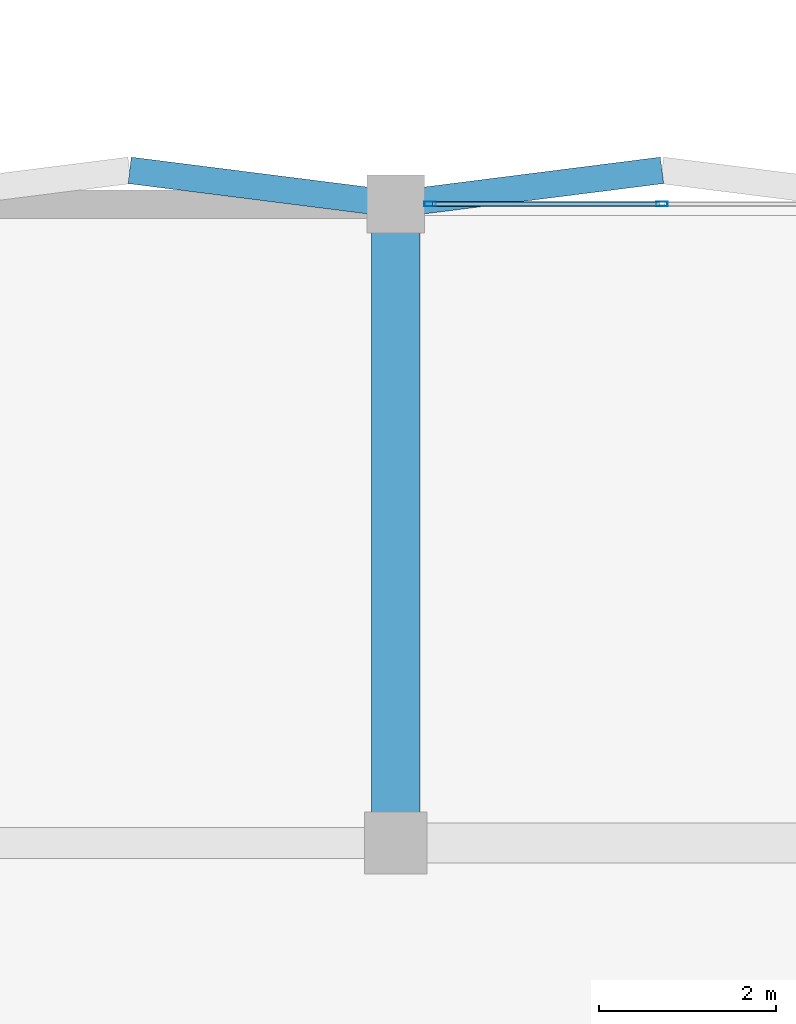
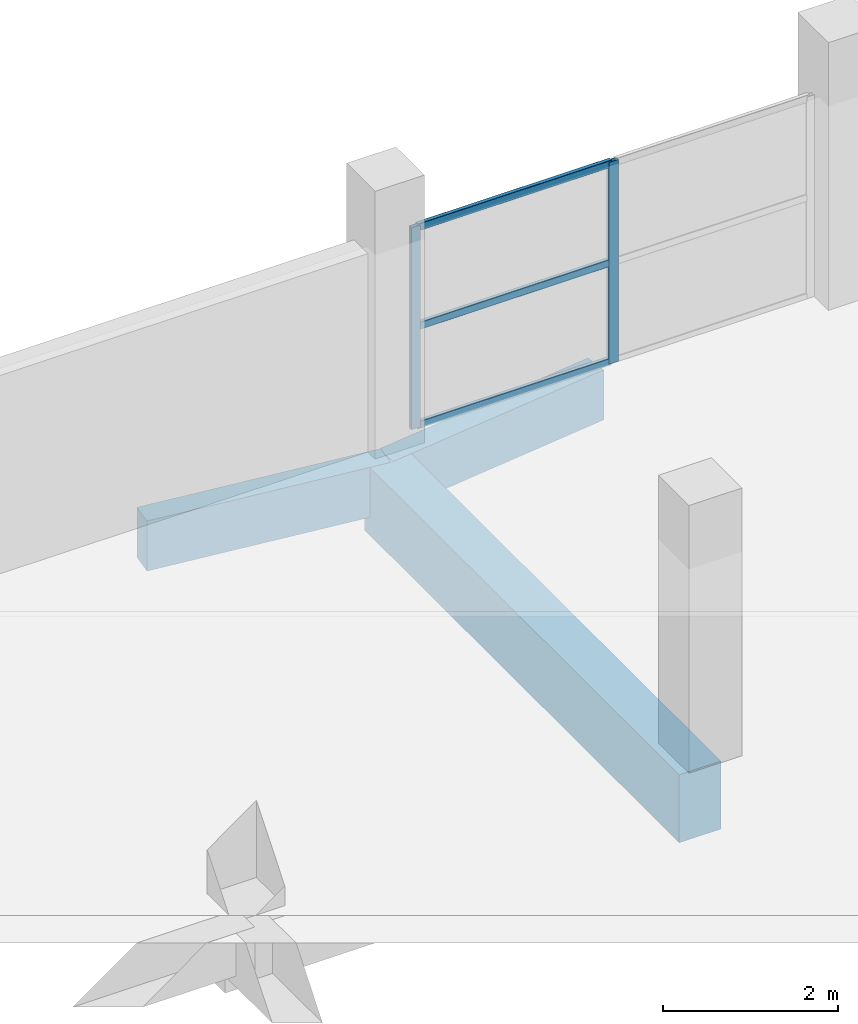
# One storey, part 15 of 239: 5 members, 3 beams, 1 element without a shape of its own.
"""IFC4 building model written with IfcOpenShell, lengths in metres."""

from ifc_helpers import new_model, si_unit, direction, frame, origin, origin_2d, place, context, subcontext, project, spatial, rectangle, hollow_rectangle, extrude, material, layer, layer_set, material_profile, profile_set, type_object, element, aggregate, save


model = new_model("IFC4")

# Units and contexts
model_context = context("Model", 3, precision=1e-05, world=origin(), true_north=direction((0.0, 1.0)))
body_context = subcontext(model_context, "Body", "Model", "MODEL_VIEW")
ifc_project = project(units=[si_unit("LENGTHUNIT", "METRE"), si_unit("AREAUNIT", "SQUARE_METRE"), si_unit("VOLUMEUNIT", "CUBIC_METRE"), si_unit("PLANEANGLEUNIT", "RADIAN"), si_unit("MASSUNIT", "GRAM", prefix="KILO")], contexts=[model_context])

# Site, building, storey
site_placement = place(None, origin())
site = spatial("IfcSite", under=ifc_project, at=site_placement, CompositionType="ELEMENT")
building_placement = place(site_placement, origin())
building = spatial("IfcBuilding", under=site, at=building_placement, Name="Dunvalen Ferry Terminal", CompositionType="ELEMENT")
storey_placement = place(building_placement, frame((0.0, 0.0, 9.840087890625)))
storey = spatial("IfcBuildingStorey", under=building, at=storey_placement, Name="L02", CompositionType="ELEMENT", Elevation=9.840087890625)

# Curtain wall, members
ifc_material_1 = material(Name="Anodised marine aluminium and solar-control glazing", Category="aluminium")
ifc_layer = layer(ifc_material_1, 0.14990234375, Name="Anodised marine aluminium and solar-control glazing")
ifc_layer_set = layer_set([ifc_layer], Name="Anodised marine aluminium and solar-control glazing")
curtain_wall_type = type_object("IfcCurtainWallType", Name="ENV-CW-SYS-11", PredefinedType="NOTDEFINED", material=ifc_layer_set)
curtain_wall_placement = place(storey_placement, origin())
curtain_wall = element("IfcCurtainWall", 1, at=curtain_wall_placement, inside=storey, type_object=curtain_wall_type, Name="L02 Curtain Wall CW-V5CORE-L02-7-4", PredefinedType="NOTDEFINED")
ifc_material_2 = material(Name="Anodised marine aluminium EN AW-6063 T6", Category="aluminium")
ifc_material_profile_1 = material_profile(ifc_material_2, hollow_rectangle(XDim=0.054931640625, YDim=0.1298828125, WallThickness=0.003173828125, InnerFilletRadius=0.003173828125, OuterFilletRadius=0.00634765625, at=origin_2d()), Name="Anodised marine aluminium EN AW-6063 T6")
ifc_profile_set_1 = profile_set([ifc_material_profile_1], Name="Anodised marine aluminium EN AW-6063 T6")
member_type_1 = type_object("IfcMemberType", Name="ENV-CW-MUL-4", PredefinedType="MULLION", material=ifc_profile_set_1)
member_1_placement = place(storey_placement, frame((45.0, 36.0, 0.0), z_axis=(0.0, 0.0, 1.0), x_axis=(0.0, -1.0, 0.0)))
member_1 = element("IfcMember", 2, at=member_1_placement, type_object=member_type_1, Name="CW-11 mullion 2", PredefinedType="MULLION", context=body_context, shape_type="SweptSolid", body=[
    extrude(hollow_rectangle(XDim=0.054931640625, YDim=0.1298828125, WallThickness=0.003173828125, InnerFilletRadius=0.003173828125, OuterFilletRadius=0.00634765625, at=origin_2d()), origin(), (0.0, 0.0, 1.0), 2.81982421875),
])
member_2_placement = place(storey_placement, frame((42.387451171875, 36.0, 0.0), z_axis=(0.0, 0.0, 1.0), x_axis=(0.0, -1.0, 0.0)))
member_2 = element("IfcMember", 3, at=member_2_placement, type_object=member_type_1, Name="CW-11 mullion 3", PredefinedType="MULLION", context=body_context, shape_type="SweptSolid", body=[
    extrude(hollow_rectangle(XDim=0.054931640625, YDim=0.1298828125, WallThickness=0.003173828125, InnerFilletRadius=0.003173828125, OuterFilletRadius=0.00634765625, at=origin_2d()), origin(), (0.0, 0.0, 1.0), 2.81982421875),
])
ifc_material_profile_2 = material_profile(ifc_material_2, hollow_rectangle(XDim=0.054931640625, YDim=0.10009765625, WallThickness=0.0029296875, InnerFilletRadius=0.0029296875, OuterFilletRadius=0.006103515625, at=origin_2d()), Name="Anodised marine aluminium EN AW-6063 T6")
ifc_profile_set_2 = profile_set([ifc_material_profile_2], Name="Anodised marine aluminium EN AW-6063 T6")
member_type_2 = type_object("IfcMemberType", Name="ENV-CW-TRN-4", PredefinedType="USERDEFINED", material=ifc_profile_set_2)
member_3_placement = place(storey_placement, frame((44.972412109375, 36.0, 0.02734375), z_axis=(-1.0, 0.0, 0.0), x_axis=(0.0, -1.0, 0.0)))
member_3 = element("IfcMember", 4, at=member_3_placement, type_object=member_type_2, Name="CW-11 transom 2.1", ObjectType="TRANSOM", PredefinedType="USERDEFINED", context=body_context, shape_type="SweptSolid", body=[
    extrude(hollow_rectangle(XDim=0.054931640625, YDim=0.10009765625, WallThickness=0.0029296875, InnerFilletRadius=0.0029296875, OuterFilletRadius=0.006103515625, at=origin_2d()), origin(), (0.0, 0.0, 1.0), 2.557373046875),
])
member_4_placement = place(storey_placement, frame((44.972412109375, 36.0, 1.409912109375), z_axis=(-1.0, 0.0, 0.0), x_axis=(0.0, -1.0, 0.0)))
member_4 = element("IfcMember", 5, at=member_4_placement, type_object=member_type_2, Name="CW-11 transom 2.2", ObjectType="TRANSOM", PredefinedType="USERDEFINED", context=body_context, shape_type="SweptSolid", body=[
    extrude(hollow_rectangle(XDim=0.054931640625, YDim=0.10009765625, WallThickness=0.0029296875, InnerFilletRadius=0.0029296875, OuterFilletRadius=0.006103515625, at=origin_2d()), origin(), (0.0, 0.0, 1.0), 2.557373046875),
])
member_5_placement = place(storey_placement, frame((44.972412109375, 36.0, 2.79248046875), z_axis=(-1.0, 0.0, 0.0), x_axis=(0.0, -1.0, 0.0)))
member_5 = element("IfcMember", 6, at=member_5_placement, type_object=member_type_2, Name="CW-11 transom 2.3", ObjectType="TRANSOM", PredefinedType="USERDEFINED", context=body_context, shape_type="SweptSolid", body=[
    extrude(hollow_rectangle(XDim=0.054931640625, YDim=0.10009765625, WallThickness=0.0029296875, InnerFilletRadius=0.0029296875, OuterFilletRadius=0.006103515625, at=origin_2d()), origin(), (0.0, 0.0, 1.0), 2.557373046875),
])
aggregate(curtain_wall, [member_1, member_2, member_3, member_4, member_5])

# Beams
ifc_material_3 = material(Name="Concrete C40/50", Category="concrete")
ifc_material_profile_3 = material_profile(ifc_material_3, rectangle(XDim=0.550048828125, YDim=0.949951171875, at=origin_2d()), Name="Concrete C40/50")
ifc_profile_set_3 = profile_set([ifc_material_profile_3], Name="Concrete C40/50")
beam_type_1 = type_object("IfcBeamType", Name="STR-BM-RCG950", PredefinedType="BEAM", material=ifc_profile_set_3)
beam_placement = place(storey_placement, frame((42.0, 28.800048828125, -0.735107421875), z_axis=(0.0, 1.0, 0.0), x_axis=(-1.0, 0.0, 0.0)))
element("IfcBeam", 7, at=beam_placement, inside=storey, type_object=beam_type_1, Name="L02 V5P0 Primary Girder Y-075", PredefinedType="BEAM", context=body_context, shape_type="SweptSolid", body=[
    extrude(rectangle(XDim=0.550048828125, YDim=0.949951171875, at=origin_2d()), origin(), (0.0, 0.0, 1.0), 7.199951171875),
])
ifc_material_profile_4 = material_profile(ifc_material_3, rectangle(XDim=0.300048828125, YDim=0.699951171875, at=origin_2d()), Name="Concrete C40/50")
ifc_profile_set_4 = profile_set([ifc_material_profile_4], Name="Concrete C40/50")
beam_type_2 = type_object("IfcBeamType", Name="STR-BM-RCSP700", PredefinedType="SPANDREL", material=ifc_profile_set_4)
for number, where, z_axis, x_axis, name in (
    (8, (39.0, 36.3798828125, -0.610107421875), (0.992077869489, -0.12562444376, 0.0), (0.12562444376, 0.992077869489, 0.0), "L02 Passage Pilaster Spandrel Tie 05.2"),
    (9, (42.0, 36.0, -0.610107421875), (0.992077869489, 0.12562444376, 0.0), (-0.12562444376, 0.992077869489, 0.0), "L02 Passage Pilaster Spandrel Tie 06.1"),
):
    element("IfcBeam", number, at=place(storey_placement, frame(where, z_axis=z_axis, x_axis=x_axis)), inside=storey, type_object=beam_type_2, Name=name, PredefinedType="SPANDREL", context=body_context, shape_type="SweptSolid", body=[
        extrude(rectangle(XDim=0.300048828125, YDim=0.699951171875, at=origin_2d()), origin(), (0.0, 0.0, 1.0), 3.02392578125),
    ])

save(model, "model.ifc")
